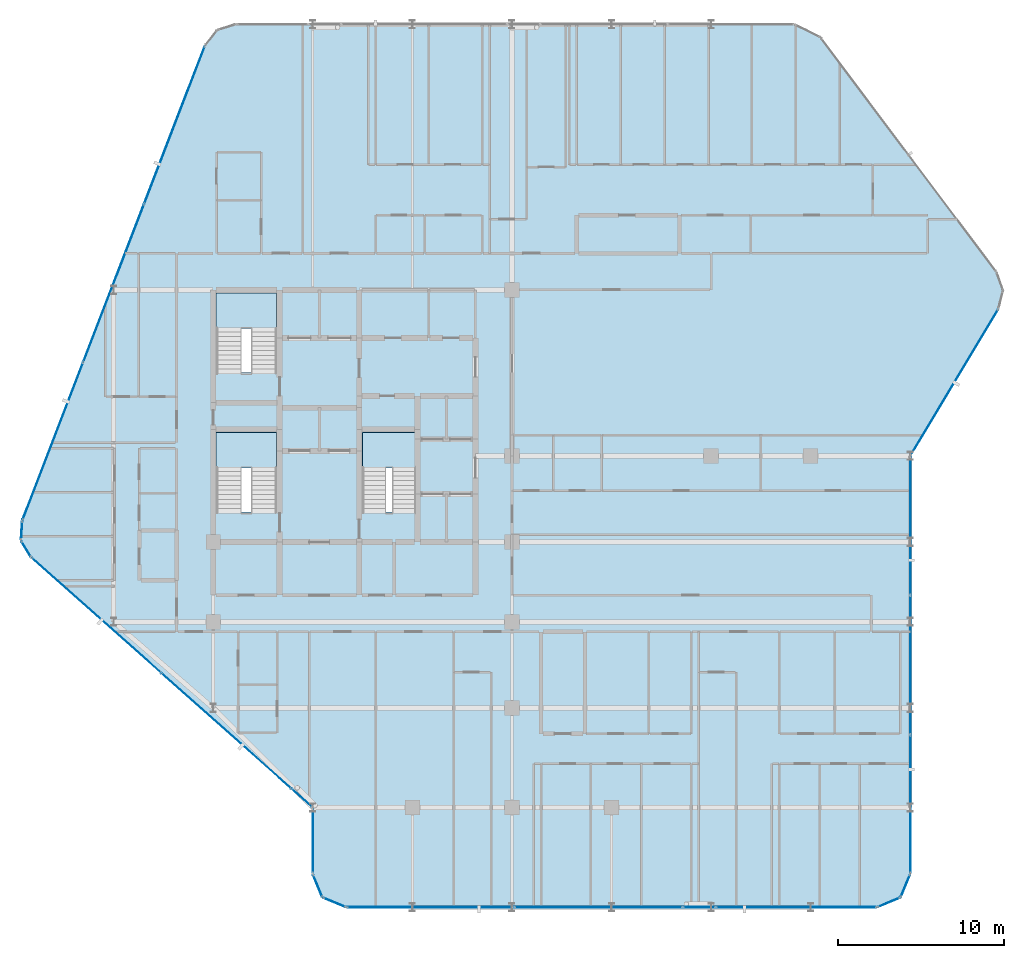
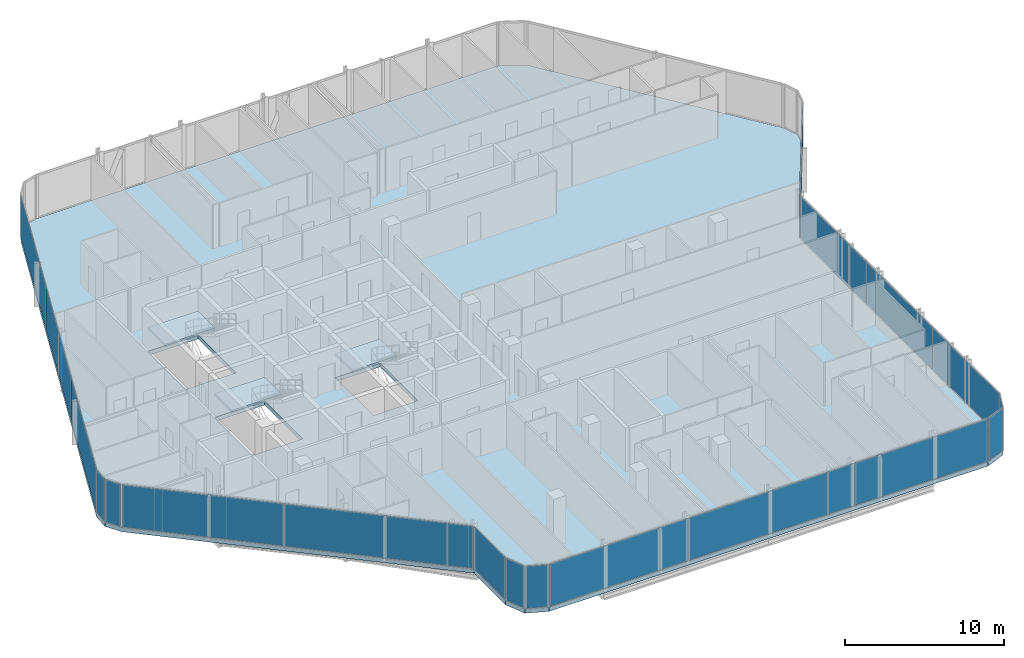
# One storey, part 23 of 31: 21 plates, 4 slabs, 18 elements without a shape of their own.
"""IFC4 building model written with IfcOpenShell, lengths in metres."""

from ifc_helpers import new_model, si_unit, direction, frame, origin, origin_2d, place, context, subcontext, project, spatial, polyline, rectangle, outline, extrude, material, layer, layer_set, type_object, element, aggregate, save


model = new_model("IFC4")

# Units and contexts
model_context = context("Model", 3, precision=1e-05, world=origin(), true_north=direction((0.0, 1.0)))
body_context = subcontext(model_context, "Body", "Model", "MODEL_VIEW")
ifc_project = project(units=[si_unit("LENGTHUNIT", "METRE"), si_unit("AREAUNIT", "SQUARE_METRE"), si_unit("VOLUMEUNIT", "CUBIC_METRE"), si_unit("PLANEANGLEUNIT", "RADIAN"), si_unit("MASSUNIT", "GRAM", prefix="KILO")], contexts=[model_context])

# Site, building, storey
site_placement = place(None, origin())
site = spatial("IfcSite", under=ifc_project, at=site_placement, CompositionType="ELEMENT")
building_placement = place(site_placement, origin())
building = spatial("IfcBuilding", under=site, at=building_placement, Name="Keshet Zoharim Tower", CompositionType="ELEMENT")
storey_placement = place(building_placement, frame((0.0, 0.0, 140.89990234375)))
storey = spatial("IfcBuildingStorey", under=building, at=storey_placement, Name="L34", CompositionType="ELEMENT", Elevation=140.89990234375)

# Curtain wall, plate
ifc_material_1 = material(Name="Aluminium 6063-T6", Category="aluminium")
ifc_layer_1 = layer(ifc_material_1, 0.159912109375)
ifc_layer_set_1 = layer_set([ifc_layer_1], Name="Aluminium 6063-T6")
curtain_wall_type = type_object("IfcCurtainWallType", Name="CW-SYS-03", PredefinedType="NOTDEFINED", material=ifc_layer_set_1)
curtain_wall_1_placement = place(storey_placement, origin())
curtain_wall_1 = element("IfcCurtainWall", 1, at=curtain_wall_1_placement, inside=storey, type_object=curtain_wall_type, Name="L34 Unitised Curtain Wall 01", PredefinedType="NOTDEFINED")
ifc_material_2 = material(Name="Insulated Low-E Clear Glass", Category="glass")
ifc_layer_2 = layer(ifc_material_2, 0.035888671875)
ifc_layer_set_2 = layer_set([ifc_layer_2], Name="Insulated Low-E Clear Glass")
plate_type_1 = type_object("IfcPlateType", Name="CWP-01", PredefinedType="CURTAIN_PANEL", material=ifc_layer_set_2)
plate_1_placement = place(storey_placement, frame((56.70703125, 1.992919921875, 0.070068359375), z_axis=(0.0, 0.0, 1.0), x_axis=(-0.382851849847, -0.92380975372, 0.0)))
plate_1 = element("IfcPlate", 2, at=plate_1_placement, type_object=plate_type_1, Name="CW-03 panel 1.1", PredefinedType="CURTAIN_PANEL", context=body_context, shape_type="SweptSolid", body=[
    extrude(rectangle(XDim=1.390625, YDim=0.035888671875, at=origin_2d()), origin(), (0.0, 0.0, 1.0), 3.2451171875),
])
aggregate(curtain_wall_1, [plate_1])

curtain_wall_2_placement = place(storey_placement, origin())
curtain_wall_2 = element("IfcCurtainWall", 3, at=curtain_wall_2_placement, inside=storey, type_object=curtain_wall_type, Name="L34 Unitised Curtain Wall 02", PredefinedType="NOTDEFINED")
plate_2_placement = place(storey_placement, frame((55.70703125, 0.992919921875, 0.070068359375), z_axis=(0.0, 0.0, 1.0), x_axis=(-0.92380975372, -0.382851849847, 0.0)))
plate_2 = element("IfcPlate", 4, at=plate_2_placement, type_object=plate_type_1, Name="CW-03 panel 1.1", PredefinedType="CURTAIN_PANEL", context=body_context, shape_type="SweptSolid", body=[
    extrude(rectangle(XDim=1.390625, YDim=0.035888671875, at=origin_2d()), origin(), (0.0, 0.0, 1.0), 3.2451171875),
])
aggregate(curtain_wall_2, [plate_2])

curtain_wall_3_placement = place(storey_placement, origin())
curtain_wall_3 = element("IfcCurtainWall", 5, at=curtain_wall_3_placement, inside=storey, type_object=curtain_wall_type, Name="L34 Unitised Curtain Wall 03", PredefinedType="NOTDEFINED")
plate_3_placement = place(storey_placement, frame((50.1240234375, 0.699951171875, 0.070068359375), z_axis=(0.0, 0.0, 1.0), x_axis=(-1.0, 0.0, 0.0)))
plate_3 = element("IfcPlate", 6, at=plate_3_placement, type_object=plate_type_1, Name="CW-03 panel 1.1", PredefinedType="CURTAIN_PANEL", context=body_context, shape_type="SweptSolid", body=[
    extrude(rectangle(XDim=9.61181640625, YDim=0.035888671875, at=origin_2d()), origin(), (0.0, 0.0, 1.0), 3.2451171875),
])
aggregate(curtain_wall_3, [plate_3])

# Curtain wall, plates
curtain_wall_4_placement = place(storey_placement, origin())
curtain_wall_4 = element("IfcCurtainWall", 7, at=curtain_wall_4_placement, inside=storey, type_object=curtain_wall_type, Name="L34 Unitised Curtain Wall 03 Part 3", PredefinedType="NOTDEFINED")
plate_4_placement = place(storey_placement, frame((38.20654296875, 0.699951171875, 0.070068359375), z_axis=(0.0, 0.0, 1.0), x_axis=(-1.0, 0.0, 0.0)))
plate_4 = element("IfcPlate", 8, at=plate_4_placement, type_object=plate_type_1, Name="CW-03 panel 1.1", PredefinedType="CURTAIN_PANEL", context=body_context, shape_type="SweptSolid", body=[
    extrude(rectangle(XDim=10.091064453125, YDim=0.035888671875, at=origin_2d()), origin(), (0.0, 0.0, 1.0), 3.2451171875),
])
plate_5_placement = place(storey_placement, frame((28.08056640625, 0.699951171875, 0.070068359375), z_axis=(0.0, 0.0, 1.0), x_axis=(-1.0, 0.0, 0.0)))
plate_5 = element("IfcPlate", 9, at=plate_5_placement, type_object=plate_type_1, Name="CW-03 panel 2.1", PredefinedType="CURTAIN_PANEL", context=body_context, shape_type="SweptSolid", body=[
    extrude(rectangle(XDim=10.02099609375, YDim=0.035888671875, at=origin_2d()), origin(), (0.0, 0.0, 1.0), 3.2451171875),
])
aggregate(curtain_wall_4, [plate_4, plate_5])

# Curtain wall, plate
curtain_wall_5_placement = place(storey_placement, origin())
curtain_wall_5 = element("IfcCurtainWall", 10, at=curtain_wall_5_placement, inside=storey, type_object=curtain_wall_type, Name="L34 Unitised Curtain Wall 04", PredefinedType="NOTDEFINED")
plate_6_placement = place(storey_placement, frame((22.29296875, 0.992919921875, 0.070068359375), z_axis=(0.0, 0.0, 1.0), x_axis=(-0.92380975372, 0.382851849847, 0.0)))
plate_6 = element("IfcPlate", 11, at=plate_6_placement, type_object=plate_type_1, Name="CW-03 panel 1.1", PredefinedType="CURTAIN_PANEL", context=body_context, shape_type="SweptSolid", body=[
    extrude(rectangle(XDim=1.390625, YDim=0.035888671875, at=origin_2d()), origin(), (0.0, 0.0, 1.0), 3.2451171875),
])
aggregate(curtain_wall_5, [plate_6])

curtain_wall_6_placement = place(storey_placement, origin())
curtain_wall_6 = element("IfcCurtainWall", 12, at=curtain_wall_6_placement, inside=storey, type_object=curtain_wall_type, Name="L34 Unitised Curtain Wall 05", PredefinedType="NOTDEFINED")
plate_7_placement = place(storey_placement, frame((21.29296875, 1.992919921875, 0.070068359375), z_axis=(0.0, 0.0, 1.0), x_axis=(-0.382851849847, 0.92380975372, 0.0)))
plate_7 = element("IfcPlate", 13, at=plate_7_placement, type_object=plate_type_1, Name="CW-03 panel 1.1", PredefinedType="CURTAIN_PANEL", context=body_context, shape_type="SweptSolid", body=[
    extrude(rectangle(XDim=1.390625, YDim=0.035888671875, at=origin_2d()), origin(), (0.0, 0.0, 1.0), 3.2451171875),
])
aggregate(curtain_wall_6, [plate_7])

curtain_wall_7_placement = place(storey_placement, origin())
curtain_wall_7 = element("IfcCurtainWall", 14, at=curtain_wall_7_placement, inside=storey, type_object=curtain_wall_type, Name="L34 Unitised Curtain Wall 06", PredefinedType="NOTDEFINED")
plate_8_placement = place(storey_placement, frame((21.0, 4.699951171875, 0.070068359375), z_axis=(0.0, 0.0, 1.0), x_axis=(0.0, 1.0, 0.0)))
plate_8 = element("IfcPlate", 15, at=plate_8_placement, type_object=plate_type_1, Name="CW-03 panel 1.1", PredefinedType="CURTAIN_PANEL", context=body_context, shape_type="SweptSolid", body=[
    extrude(rectangle(XDim=3.860107421875, YDim=0.035888671875, at=origin_2d()), origin(), (0.0, 0.0, 1.0), 3.2451171875),
])
aggregate(curtain_wall_7, [plate_8])

# Curtain wall, plates
curtain_wall_8_placement = place(storey_placement, origin())
curtain_wall_8 = element("IfcCurtainWall", 16, at=curtain_wall_8_placement, inside=storey, type_object=curtain_wall_type, Name="L34 Unitised Curtain Wall 07 Part 2", PredefinedType="NOTDEFINED")
plate_9_placement = place(storey_placement, frame((15.79296875, 11.328369140625, 0.070068359375), z_axis=(0.0, 0.0, 1.0), x_axis=(-0.747409582009, 0.664363542589, 0.0)))
plate_9 = element("IfcPlate", 17, at=plate_9_placement, type_object=plate_type_1, Name="CW-03 panel 1.1", PredefinedType="CURTAIN_PANEL", context=body_context, shape_type="SweptSolid", body=[
    extrude(rectangle(XDim=10.441162109375, YDim=0.035888671875, at=origin_2d()), origin(), (0.0, 0.0, 1.0), 3.2451171875),
])
plate_10_placement = place(storey_placement, frame((7.963134765625, 18.288330078125, 0.070068359375), z_axis=(0.0, 0.0, 1.0), x_axis=(-0.747409582009, 0.664363542589, 0.0)))
plate_10 = element("IfcPlate", 18, at=plate_10_placement, type_object=plate_type_1, Name="CW-03 panel 2.1", PredefinedType="CURTAIN_PANEL", context=body_context, shape_type="SweptSolid", body=[
    extrude(rectangle(XDim=10.37109375, YDim=0.035888671875, at=origin_2d()), origin(), (0.0, 0.0, 1.0), 3.2451171875),
])
aggregate(curtain_wall_8, [plate_9, plate_10])

# Curtain wall, plate
curtain_wall_9_placement = place(storey_placement, origin())
curtain_wall_9 = element("IfcCurtainWall", 19, at=curtain_wall_9_placement, inside=storey, type_object=curtain_wall_type, Name="L34 Unitised Curtain Wall 08", PredefinedType="NOTDEFINED")
plate_11_placement = place(storey_placement, frame((3.7275390625, 22.291015625, 0.070068359375), z_axis=(0.0, 0.0, 1.0), x_axis=(-0.515604947933, 0.856826433805, 0.0)))
plate_11 = element("IfcPlate", 20, at=plate_11_placement, type_object=plate_type_1, Name="CW-03 panel 1.1", PredefinedType="CURTAIN_PANEL", context=body_context, shape_type="SweptSolid", body=[
    extrude(rectangle(XDim=1.052734375, YDim=0.035888671875, at=origin_2d()), origin(), (0.0, 0.0, 1.0), 3.2451171875),
])
aggregate(curtain_wall_9, [plate_11])

curtain_wall_10_placement = place(storey_placement, origin())
curtain_wall_10 = element("IfcCurtainWall", 21, at=curtain_wall_10_placement, inside=storey, type_object=curtain_wall_type, Name="L34 Unitised Curtain Wall 09", PredefinedType="NOTDEFINED")
plate_12_placement = place(storey_placement, frame((3.45849609375, 23.3974609375, 0.070068359375), z_axis=(0.0, 0.0, 1.0), x_axis=(0.064516859374, 0.997916617186, 0.0)))
plate_12 = element("IfcPlate", 22, at=plate_12_placement, type_object=plate_type_1, Name="CW-03 panel 1.1", PredefinedType="CURTAIN_PANEL", context=body_context, shape_type="SweptSolid", body=[
    extrude(rectangle(XDim=1.053466796875, YDim=0.035888671875, at=origin_2d()), origin(), (0.0, 0.0, 1.0), 3.2451171875),
])
aggregate(curtain_wall_10, [plate_12])

# Curtain wall, plates
curtain_wall_11_placement = place(storey_placement, origin())
curtain_wall_11 = element("IfcCurtainWall", 23, at=curtain_wall_11_placement, inside=storey, type_object=curtain_wall_type, Name="L34 Unitised Curtain Wall 10", PredefinedType="NOTDEFINED")
plate_13_placement = place(storey_placement, frame((5.33837890625, 28.7802734375, 0.070068359375), z_axis=(0.0, 0.0, 1.0), x_axis=(0.358990003907, 0.933341404361, 0.0)))
plate_13 = element("IfcPlate", 24, at=plate_13_placement, type_object=plate_type_1, Name="CW-03 panel 1.1", PredefinedType="CURTAIN_PANEL", context=body_context, shape_type="SweptSolid", body=[
    extrude(rectangle(XDim=10.1181640625, YDim=0.035888671875, at=origin_2d()), origin(), (0.0, 0.0, 1.0), 3.2451171875),
])
plate_14_placement = place(storey_placement, frame((9.001953125, 38.305419921875, 0.070068359375), z_axis=(0.0, 0.0, 1.0), x_axis=(0.358990003907, 0.933341404361, 0.0)))
plate_14 = element("IfcPlate", 25, at=plate_14_placement, type_object=plate_type_1, Name="CW-03 panel 2.1", PredefinedType="CURTAIN_PANEL", context=body_context, shape_type="SweptSolid", body=[
    extrude(rectangle(XDim=10.153076171875, YDim=0.035888671875, at=origin_2d()), origin(), (0.0, 0.0, 1.0), 3.2451171875),
])
plate_15_placement = place(storey_placement, frame((12.665771484375, 47.830810546875, 0.070068359375), z_axis=(0.0, 0.0, 1.0), x_axis=(0.358990003907, 0.933341404361, 0.0)))
plate_15 = element("IfcPlate", 26, at=plate_15_placement, type_object=plate_type_1, Name="CW-03 panel 3.1", PredefinedType="CURTAIN_PANEL", context=body_context, shape_type="SweptSolid", body=[
    extrude(rectangle(XDim=10.1181640625, YDim=0.035888671875, at=origin_2d()), origin(), (0.0, 0.0, 1.0), 3.2451171875),
])
aggregate(curtain_wall_11, [plate_13, plate_14, plate_15])

# Curtain wall, plate
curtain_wall_12_placement = place(storey_placement, origin())
curtain_wall_12 = element("IfcCurtainWall", 27, at=curtain_wall_12_placement, inside=storey, type_object=curtain_wall_type, Name="L34 Unitised Curtain Wall 18", PredefinedType="NOTDEFINED")
plate_16_placement = place(storey_placement, frame((59.654052734375, 32.323486328125, 0.070068359375), z_axis=(0.0, 0.0, 1.0), x_axis=(-0.514481501576, -0.857501477862, 0.0)))
plate_16 = element("IfcPlate", 28, at=plate_16_placement, type_object=plate_type_1, Name="CW-03 panel 1.1", PredefinedType="CURTAIN_PANEL", context=body_context, shape_type="SweptSolid", body=[
    extrude(rectangle(XDim=10.17724609375, YDim=0.035888671875, at=origin_2d()), origin(), (0.0, 0.0, 1.0), 3.2451171875),
])
aggregate(curtain_wall_12, [plate_16])

# Curtain wall, plates
curtain_wall_13_placement = place(storey_placement, origin())
curtain_wall_13 = element("IfcCurtainWall", 29, at=curtain_wall_13_placement, inside=storey, type_object=curtain_wall_type, Name="L34 Unitised Curtain Wall 19", PredefinedType="NOTDEFINED")
ifc_layer_3 = layer(ifc_material_2, 0.031982421875)
ifc_layer_set_3 = layer_set([ifc_layer_3], Name="Insulated Low-E Clear Glass")
plate_type_2 = type_object("IfcPlateType", Name="CWP-02", PredefinedType="CURTAIN_PANEL", material=ifc_layer_set_3)
plate_17_placement = place(storey_placement, frame((57.0, 23.6826171875, 0.070068359375), z_axis=(0.0, 0.0, 1.0), x_axis=(0.0, -1.0, 0.0)))
plate_17 = element("IfcPlate", 30, at=plate_17_placement, type_object=plate_type_2, Name="CW-03 panel 1.1", PredefinedType="CURTAIN_PANEL", context=body_context, shape_type="SweptSolid", body=[
    extrude(rectangle(XDim=8.294921875, YDim=0.031982421875, at=origin_2d()), origin(), (0.0, 0.0, 1.0), 3.2451171875),
])
plate_18_placement = place(storey_placement, frame((57.0, 15.300048828125, 0.070068359375), z_axis=(0.0, 0.0, 1.0), x_axis=(0.0, -1.0, 0.0)))
plate_18 = element("IfcPlate", 31, at=plate_18_placement, type_object=plate_type_2, Name="CW-03 panel 2.1", PredefinedType="CURTAIN_PANEL", context=body_context, shape_type="SweptSolid", body=[
    extrude(rectangle(XDim=8.330078125, YDim=0.031982421875, at=origin_2d()), origin(), (0.0, 0.0, 1.0), 3.2451171875),
])
plate_19_placement = place(storey_placement, frame((57.0, 6.91748046875, 0.070068359375), z_axis=(0.0, 0.0, 1.0), x_axis=(0.0, -1.0, 0.0)))
plate_19 = element("IfcPlate", 32, at=plate_19_placement, type_object=plate_type_2, Name="CW-03 panel 3.1", PredefinedType="CURTAIN_PANEL", context=body_context, shape_type="SweptSolid", body=[
    extrude(rectangle(XDim=8.294921875, YDim=0.031982421875, at=origin_2d()), origin(), (0.0, 0.0, 1.0), 3.2451171875),
])
aggregate(curtain_wall_13, [plate_17, plate_18, plate_19])

# Curtain wall, plate
curtain_wall_14_placement = place(storey_placement, origin())
curtain_wall_14 = element("IfcCurtainWall", 33, at=curtain_wall_14_placement, inside=storey, type_object=curtain_wall_type, Name="L34 Unitised Curtain Wall 03 Part 2", PredefinedType="NOTDEFINED")
ifc_material_3 = material(Name="Insulated Aluminium Spandrel Panel", Category="aluminium")
ifc_layer_4 = layer(ifc_material_3, 0.035888671875)
ifc_layer_set_4 = layer_set([ifc_layer_4], Name="Insulated Aluminium Spandrel Panel")
plate_type_3 = type_object("IfcPlateType", Name="CWP-04", PredefinedType="CURTAIN_PANEL", material=ifc_layer_set_4)
plate_20_placement = place(storey_placement, frame((44.284912109375, 0.699951171875, 0.070068359375), z_axis=(0.0, 0.0, 1.0), x_axis=(-1.0, 0.0, 0.0)))
plate_20 = element("IfcPlate", 34, at=plate_20_placement, type_object=plate_type_3, Name="CW-03 spandrel panel 1.1", PredefinedType="CURTAIN_PANEL", context=body_context, shape_type="SweptSolid", body=[
    extrude(rectangle(XDim=1.92626953125, YDim=0.035888671875, at=origin_2d()), origin(), (0.0, 0.0, 1.0), 3.2451171875),
])
aggregate(curtain_wall_14, [plate_20])

curtain_wall_15_placement = place(storey_placement, origin())
curtain_wall_15 = element("IfcCurtainWall", 35, at=curtain_wall_15_placement, inside=storey, type_object=curtain_wall_type, Name="L34 Unitised Curtain Wall 07", PredefinedType="NOTDEFINED")
plate_21_placement = place(storey_placement, frame((20.347412109375, 7.280029296875, 0.070068359375), z_axis=(0.0, 0.0, 1.0), x_axis=(-0.747406159057, 0.664367393393, 0.0)))
plate_21 = element("IfcPlate", 36, at=plate_21_placement, type_object=plate_type_3, Name="CW-03 spandrel panel 1.1", PredefinedType="CURTAIN_PANEL", context=body_context, shape_type="SweptSolid", body=[
    extrude(rectangle(XDim=1.606201171875, YDim=0.035888671875, at=origin_2d()), origin(), (0.0, 0.0, 1.0), 3.2451171875),
])
aggregate(curtain_wall_15, [plate_21])

# Stair, slab
ifc_material_4 = material(Name="Concrete C50/60", Category="concrete")
stair_type = type_object("IfcStairType", Name="STR-EXIT-135", PredefinedType="HALF_TURN_STAIR", material=ifc_material_4)
stair_1_placement = place(storey_placement, origin())
stair_1 = element("IfcStair", 37, at=stair_1_placement, inside=storey, type_object=stair_type, Name="L34 Enclosed Exit Stair ST-01", PredefinedType="HALF_TURN_STAIR")
ifc_layer_5 = layer(ifc_material_4, 0.199951171875)
ifc_layer_set_5 = layer_set([ifc_layer_5], Name="Concrete C50/60")
slab_type_1 = type_object("IfcSlabType", Name="SLB-LND-200", PredefinedType="LANDING", material=ifc_layer_set_5)
slab_1_placement = place(storey_placement, frame((0.0, 0.0, 1.650146484375)))
slab_1 = element("IfcSlab", 38, at=slab_1_placement, type_object=slab_type_1, Name="ST-01 landing 1", PredefinedType="LANDING", context=body_context, shape_type="SweptSolid", body=[
    extrude(outline(polyline([(15.179931640625, 27.159912109375), (18.820068359375, 27.159912109375), (18.820068359375, 29.320068359375), (15.179931640625, 29.320068359375), (15.179931640625, 27.159912109375)])), origin(), (0.0, 0.0, 1.0), 0.199951171875),
])
aggregate(stair_1, [slab_1])

stair_2_placement = place(storey_placement, origin())
stair_2 = element("IfcStair", 39, at=stair_2_placement, inside=storey, type_object=stair_type, Name="L34 Enclosed Exit Stair ST-02", PredefinedType="HALF_TURN_STAIR")
slab_2_placement = place(storey_placement, frame((0.0, 0.0, 1.650146484375)))
slab_2 = element("IfcSlab", 40, at=slab_2_placement, type_object=slab_type_1, Name="ST-02 landing 1", PredefinedType="LANDING", context=body_context, shape_type="SweptSolid", body=[
    extrude(outline(polyline([(15.179931640625, 35.56005859375), (18.820068359375, 35.56005859375), (18.820068359375, 37.719970703125), (15.179931640625, 37.719970703125), (15.179931640625, 35.56005859375)])), origin(), (0.0, 0.0, 1.0), 0.199951171875),
])
aggregate(stair_2, [slab_2])

stair_3_placement = place(storey_placement, origin())
stair_3 = element("IfcStair", 41, at=stair_3_placement, inside=storey, type_object=stair_type, Name="L34 Enclosed Exit Stair ST-03", PredefinedType="HALF_TURN_STAIR")
slab_3_placement = place(storey_placement, frame((0.0, 0.0, 1.650146484375)))
slab_3 = element("IfcSlab", 42, at=slab_3_placement, type_object=slab_type_1, Name="ST-03 landing 1", PredefinedType="LANDING", context=body_context, shape_type="SweptSolid", body=[
    extrude(outline(polyline([(23.97998046875, 27.159912109375), (27.219970703125, 27.159912109375), (27.219970703125, 29.320068359375), (23.97998046875, 29.320068359375), (23.97998046875, 27.159912109375)])), origin(), (0.0, 0.0, 1.0), 0.199951171875),
])
aggregate(stair_3, [slab_3])

# Slab
ifc_layer_6 = layer(ifc_material_4, 0.31494140625)
ifc_layer_set_6 = layer_set([ifc_layer_6], Name="Concrete C50/60")
slab_type_2 = type_object("IfcSlabType", Name="SLB-LOW-260", PredefinedType="FLOOR", material=ifc_layer_set_6)
slab_4_placement = place(storey_placement, frame((0.0, 0.0, -0.31494140625)))
element("IfcSlab", 43, at=slab_4_placement, inside=storey, type_object=slab_type_2, Name="L34 Structural Floor Slab 1", PredefinedType="FLOOR", context=body_context, shape_type="SweptSolid", body=[
    extrude(outline(polyline([(57.0, 2.699951171875), (56.4140625, 1.285888671875), (55.0, 0.699951171875), (23.0, 0.699951171875), (21.5859375, 1.285888671875), (21.0, 2.699951171875), (21.0, 6.699951171875), (4.034912109375, 21.780029296875), (3.419921875, 22.802001953125), (3.4970703125, 23.992919921875), (14.507080078125, 52.617919921875), (15.240966796875, 53.549072265625), (16.3740234375, 53.89990234375), (50.0, 53.89990234375), (51.60009765625, 53.10009765625), (62.193115234375, 38.97607421875), (62.590087890625, 37.87890625), (62.30810546875, 36.7470703125), (57.0, 27.89990234375), (57.0, 2.699951171875)]), holes=[polyline([(15.179931640625, 24.52001953125), (18.820068359375, 24.52001953125), (18.820068359375, 29.320068359375), (15.179931640625, 29.320068359375), (15.179931640625, 24.52001953125)]), polyline([(15.179931640625, 32.919921875), (18.820068359375, 32.919921875), (18.820068359375, 37.719970703125), (15.179931640625, 37.719970703125), (15.179931640625, 32.919921875)]), polyline([(23.97998046875, 24.52001953125), (27.219970703125, 24.52001953125), (27.219970703125, 29.320068359375), (23.97998046875, 29.320068359375), (23.97998046875, 24.52001953125)])]), origin(), (0.0, 0.0, 1.0), 0.31494140625),
])

save(model, "model.ifc")
